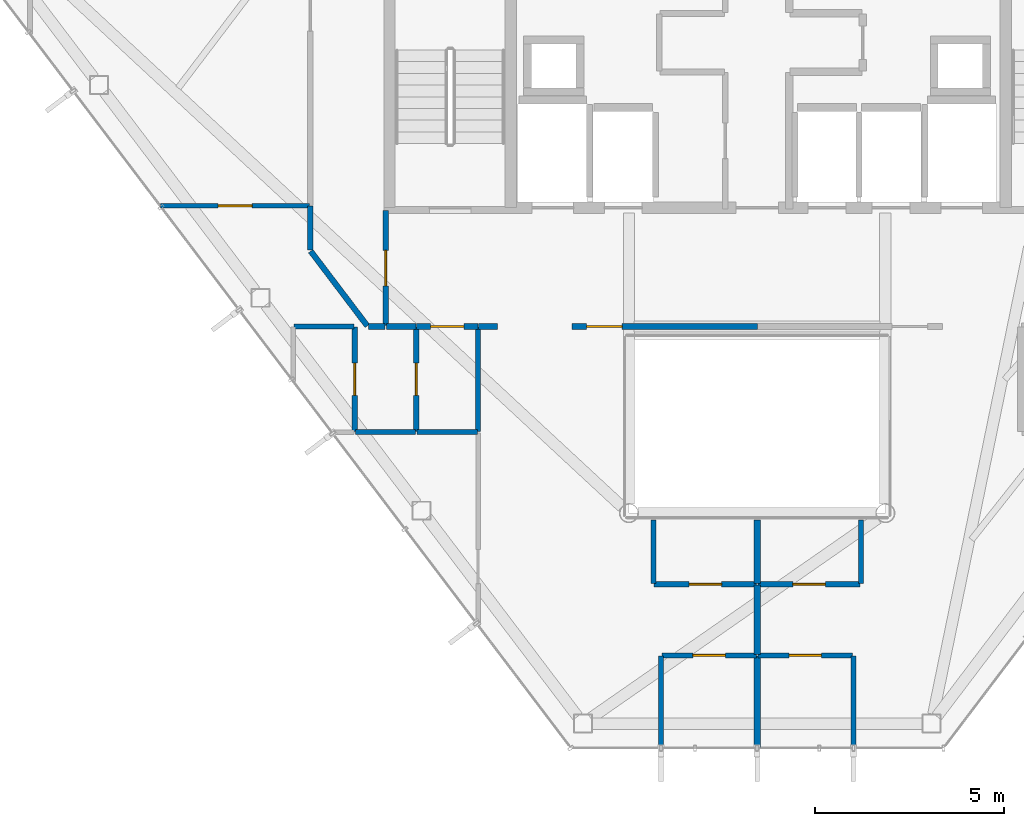
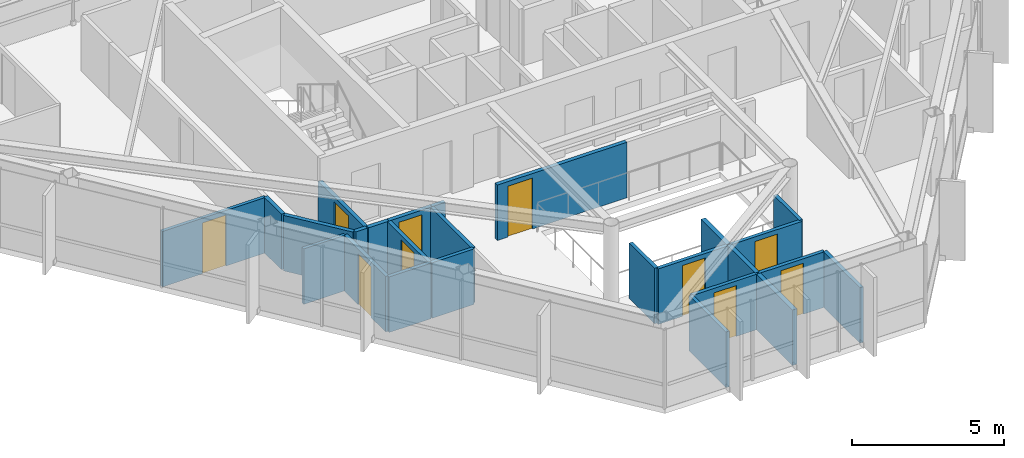
# One storey, part 21 of 25: 26 walls, 10 doors, 10 openings.
"""IFC4 building model written with IfcOpenShell, lengths in metres."""

from ifc_helpers import new_model, si_unit, direction, frame, frame_2d, origin, place, context, subcontext, project, spatial, rectangle, extrude, material, layer, layer_set, type_object, element, fill, save


model = new_model("IFC4")

# Units and contexts
model_context = context("Model", 3, precision=1e-05, world=origin(), true_north=direction((0.0, 1.0)))
body_context = subcontext(model_context, "Body", "Model", "MODEL_VIEW")
ifc_project = project(units=[si_unit("LENGTHUNIT", "METRE"), si_unit("AREAUNIT", "SQUARE_METRE"), si_unit("VOLUMEUNIT", "CUBIC_METRE"), si_unit("PLANEANGLEUNIT", "RADIAN"), si_unit("MASSUNIT", "GRAM", prefix="KILO")], contexts=[model_context])

# Site, building, storey
site_placement = place(None, origin())
site = spatial("IfcSite", under=ifc_project, at=site_placement, CompositionType="ELEMENT")
building_placement = place(site_placement, origin())
building = spatial("IfcBuilding", under=site, at=building_placement, Name="Zarrinselat Tower", CompositionType="ELEMENT")
storey_placement = place(building_placement, frame((0.0, 0.0, 261.800048828125)))
storey = spatial("IfcBuildingStorey", under=building, at=storey_placement, Name="L66", CompositionType="ELEMENT", Elevation=261.800048828125)

# Walls
ifc_material_1 = material(Name="Fire-Rated Gypsum Board Partition", Category="gypsum")
ifc_layer_1 = layer(ifc_material_1, 0.1650390625)
ifc_layer_set_1 = layer_set([ifc_layer_1], Name="Fire-Rated Gypsum Board Partition")
wall_type_1 = type_object("IfcWallType", Name="WAL-PART-DEMISE", PredefinedType="PARTITIONING", material=ifc_layer_set_1)
wall_1_placement = place(storey_placement, frame((38.39990234375, 21.451171875, 0.0), z_axis=(0.0, 0.0, 1.0), x_axis=(0.0, 1.0, 0.0)))
element("IfcWall", 1, at=wall_1_placement, inside=storey, type_object=wall_type_1, Name="L66 Partition Wall 52", PredefinedType="PARTITIONING", context=body_context, shape_type="SweptSolid", body=[
    extrude(rectangle(XDim=1.844482421875, YDim=0.1650390625, at=frame_2d((0.92236328125, 0.0))), origin(), (0.0, 0.0, 1.0), 2.23486328125),
])
wall_2_placement = place(storey_placement, frame((38.39990234375, 23.335693359375, 0.0), z_axis=(0.0, 0.0, 1.0), x_axis=(0.0, 1.0, 0.0)))
element("IfcWall", 2, at=wall_2_placement, inside=storey, type_object=wall_type_1, Name="L66 Partition Wall 53", PredefinedType="PARTITIONING", context=body_context, shape_type="SweptSolid", body=[
    extrude(rectangle(XDim=1.684326171875, YDim=0.1650390625, at=frame_2d((0.84228515625, 0.0))), origin(), (0.0, 0.0, 1.0), 2.23486328125),
])
wall_3_placement = place(storey_placement, frame((38.39990234375, 18.986083984375, 0.0), z_axis=(0.0, 0.0, 1.0), x_axis=(0.0, 1.0, 0.0)))
element("IfcWall", 3, at=wall_3_placement, inside=storey, type_object=wall_type_1, Name="L66 Partition Wall 54", PredefinedType="PARTITIONING", context=body_context, shape_type="SweptSolid", body=[
    extrude(rectangle(XDim=2.425048828125, YDim=0.1650390625, at=frame_2d((1.21240234375, 0.0))), origin(), (0.0, 0.0, 1.0), 2.23486328125),
])

# Wall, opening, door
ifc_material_2 = material(Name="Fire-Rated Gypsum Board Partition", Category="gypsum")
ifc_layer_2 = layer(ifc_material_2, 0.14990234375)
ifc_layer_set_2 = layer_set([ifc_layer_2], Name="Fire-Rated Gypsum Board Partition")
wall_type_2 = type_object("IfcWallType", Name="WAL-PART-EI60", PredefinedType="PARTITIONING", material=ifc_layer_set_2)
wall_4_placement = place(storey_placement, frame((28.550048828125, 30.169921875, 0.0), z_axis=(0.0, 0.0, 1.0), x_axis=(0.0, 1.0, 0.0)))
wall_4 = element("IfcWall", 4, at=wall_4_placement, inside=storey, type_object=wall_type_2, Name="L66 Partition Wall 17", PredefinedType="PARTITIONING", context=body_context, shape_type="SweptSolid", body=[
    extrude(rectangle(XDim=3.06005859375, YDim=0.14990234375, at=frame_2d((1.530029296875, 0.0))), origin(), (0.0, 0.0, 1.0), 2.23486328125),
])
opening_1_placement = place(wall_4_placement, frame((1.06005859375, 0.0, 0.0)))
opening_1 = element("IfcOpeningElement", 5, at=opening_1_placement, cuts=wall_4, Name="Opening ID-04", PredefinedType="OPENING", context=body_context, shape_type="SweptSolid", body=[
    extrude(rectangle(XDim=0.93994140625, YDim=2.050048828125, at=frame_2d((0.469970703125, 1.02490234375))), frame((0.0, 0.0849609375, 0.0), z_axis=(0.0, -1.0, 0.0), x_axis=(1.0, 0.0, 0.0)), (0.0, 0.0, 1.0), 0.169921875),
])
ifc_material_3 = material(Name="Fire-Rated Gypsum Board Partition")
door_type_1 = type_object("IfcDoorType", Name="DR-INT-FD30-ENT", OperationType="NOTDEFINED", PredefinedType="DOOR", material=ifc_material_3)
door_1_placement = place(opening_1_placement, origin())
door_1 = element("IfcDoor", 6, at=door_1_placement, inside=storey, type_object=door_type_1, Name="L66 Interior Door P17", OperationType="SINGLE_SWING_RIGHT", OverallHeight=2.050048828125, OverallWidth=0.93994140625, PredefinedType="DOOR", context=body_context, shape_type="SweptSolid", body=[
    extrude(rectangle(XDim=0.93994140625, YDim=2.050048828125, at=frame_2d((0.469970703125, 1.02490234375))), frame((0.0, 0.02490234375, 0.0), z_axis=(0.0, -1.0, 0.0), x_axis=(1.0, 0.0, 0.0)), (0.0, 0.0, 1.0), 0.050048828125),
])
fill(opening_1, door_1)

# Wall
wall_5_placement = place(storey_placement, frame((28.570068359375, 30.14990234375, 0.0), z_axis=(0.0, 0.0, 1.0), x_axis=(1.0, 0.0, 0.0)))
element("IfcWall", 7, at=wall_5_placement, inside=storey, type_object=wall_type_2, Name="L66 Partition Wall 19", PredefinedType="PARTITIONING", context=body_context, shape_type="SweptSolid", body=[
    extrude(rectangle(XDim=0.784912109375, YDim=0.14990234375, at=frame_2d((0.392578125, 0.0))), origin(), (0.0, 0.0, 1.0), 2.23486328125),
])

# Wall, opening, door
wall_6_placement = place(storey_placement, frame((29.364990234375, 30.14990234375, 0.0), z_axis=(0.0, 0.0, 1.0), x_axis=(1.0, 0.0, 0.0)))
wall_6 = element("IfcWall", 8, at=wall_6_placement, inside=storey, type_object=wall_type_2, Name="L66 Partition Wall 20", PredefinedType="PARTITIONING", context=body_context, shape_type="SweptSolid", body=[
    extrude(rectangle(XDim=1.630126953125, YDim=0.14990234375, at=frame_2d((0.81494140625, 0.0))), origin(), (0.0, 0.0, 1.0), 2.23486328125),
])
opening_2_placement = place(wall_6_placement, frame((0.375, 0.0, 0.0)))
opening_2 = element("IfcOpeningElement", 9, at=opening_2_placement, cuts=wall_6, Name="Opening ID-03", PredefinedType="OPENING", context=body_context, shape_type="SweptSolid", body=[
    extrude(rectangle(XDim=0.8798828125, YDim=2.050048828125, at=frame_2d((0.43994140625, 1.02490234375))), frame((0.0, 0.0849609375, 0.0), z_axis=(0.0, -1.0, 0.0), x_axis=(1.0, 0.0, 0.0)), (0.0, 0.0, 1.0), 0.169921875),
])
ifc_material_4 = material(Name="Steel S355J2", Category="steel")
door_type_2 = type_object("IfcDoorType", Name="DR-INT-FD60-S", OperationType="NOTDEFINED", PredefinedType="DOOR", material=ifc_material_4)
door_2_placement = place(opening_2_placement, origin())
door_2 = element("IfcDoor", 10, at=door_2_placement, inside=storey, type_object=door_type_2, Name="L66 Interior Door P20", OperationType="SINGLE_SWING_LEFT", OverallHeight=2.050048828125, OverallWidth=0.8798828125, PredefinedType="DOOR", context=body_context, shape_type="SweptSolid", body=[
    extrude(rectangle(XDim=0.8798828125, YDim=2.050048828125, at=frame_2d((0.43994140625, 1.02490234375))), frame((0.0, 0.02490234375, 0.0), z_axis=(0.0, -1.0, 0.0), x_axis=(1.0, 0.0, 0.0)), (0.0, 0.0, 1.0), 0.050048828125),
])
fill(opening_2, door_2)

wall_7_placement = place(storey_placement, frame((33.485107421875, 30.14990234375, 0.0), z_axis=(0.0, 0.0, 1.0), x_axis=(1.0, 0.0, 0.0)))
wall_7 = element("IfcWall", 11, at=wall_7_placement, inside=storey, type_object=wall_type_2, Name="L66 Partition Wall 21", PredefinedType="PARTITIONING", context=body_context, shape_type="SweptSolid", body=[
    extrude(rectangle(XDim=4.929931640625, YDim=0.14990234375, at=frame_2d((2.46484375, 0.0))), origin(), (0.0, 0.0, 1.0), 2.23486328125),
])
opening_3_placement = place(wall_7_placement, frame((0.39501953125, 0.0, 0.0)))
opening_3 = element("IfcOpeningElement", 12, at=opening_3_placement, cuts=wall_7, Name="Opening ID-04", PredefinedType="OPENING", context=body_context, shape_type="SweptSolid", body=[
    extrude(rectangle(XDim=0.93994140625, YDim=2.050048828125, at=frame_2d((0.469970703125, 1.02490234375))), frame((0.0, 0.0849609375, 0.0), z_axis=(0.0, -1.0, 0.0), x_axis=(1.0, 0.0, 0.0)), (0.0, 0.0, 1.0), 0.169921875),
])
door_3_placement = place(opening_3_placement, origin())
door_3 = element("IfcDoor", 13, at=door_3_placement, inside=storey, type_object=door_type_1, Name="L66 Interior Door P21", OperationType="SINGLE_SWING_RIGHT", OverallHeight=2.050048828125, OverallWidth=0.93994140625, PredefinedType="DOOR", context=body_context, shape_type="SweptSolid", body=[
    extrude(rectangle(XDim=0.93994140625, YDim=2.050048828125, at=frame_2d((0.469970703125, 1.02490234375))), frame((0.0, 0.02490234375, 0.0), z_axis=(0.0, -1.0, 0.0), x_axis=(1.0, 0.0, 0.0)), (0.0, 0.0, 1.0), 0.050048828125),
])
fill(opening_3, door_3)

# Walls
wall_8_placement = place(storey_placement, frame((31.0048828125, 30.14990234375, 0.0), z_axis=(0.0, 0.0, 1.0), x_axis=(1.0, 0.0, 0.0)))
element("IfcWall", 14, at=wall_8_placement, inside=storey, type_object=wall_type_2, Name="L66 Partition Wall 22", PredefinedType="PARTITIONING", context=body_context, shape_type="SweptSolid", body=[
    extrude(rectangle(XDim=0.510009765625, YDim=0.14990234375, at=frame_2d((0.2548828125, 0.0))), origin(), (0.0, 0.0, 1.0), 2.23486328125),
])
wall_9_placement = place(storey_placement, frame((28.094482421875, 30.14990234375, 0.0), z_axis=(0.0, 0.0, 1.0), x_axis=(1.0, 0.0, 0.0)))
element("IfcWall", 15, at=wall_9_placement, inside=storey, type_object=wall_type_2, Name="L66 Partition Wall 27", PredefinedType="PARTITIONING", context=body_context, shape_type="SweptSolid", body=[
    extrude(rectangle(XDim=0.435546875, YDim=0.14990234375, at=frame_2d((0.2177734375, 0.0))), origin(), (0.0, 0.0, 1.0), 2.23486328125),
])
wall_10_placement = place(storey_placement, frame((26.56201171875, 32.146484375, 0.0), z_axis=(0.0, 0.0, 1.0), x_axis=(0.603891739408, -0.797066350485, 0.0)))
element("IfcWall", 16, at=wall_10_placement, inside=storey, type_object=wall_type_2, Name="L66 Partition Wall 32", PredefinedType="PARTITIONING", context=body_context, shape_type="SweptSolid", body=[
    extrude(rectangle(XDim=2.484619140625, YDim=0.14990234375, at=frame_2d((1.2421875, 0.0))), origin(), (0.0, 0.0, 1.0), 2.23486328125),
])
wall_11_placement = place(storey_placement, frame((26.550048828125, 32.1826171875, 0.0), z_axis=(0.0, 0.0, 1.0), x_axis=(0.0, 1.0, 0.0)))
element("IfcWall", 17, at=wall_11_placement, inside=storey, type_object=wall_type_2, Name="L66 Partition Wall 33", PredefinedType="PARTITIONING", context=body_context, shape_type="SweptSolid", body=[
    extrude(rectangle(XDim=1.160400390625, YDim=0.14990234375, at=frame_2d((0.580078125, 0.0))), origin(), (0.0, 0.0, 1.0), 2.23486328125),
])
ifc_material_5 = material(Name="Fire-Rated Gypsum Board Partition", Category="gypsum")
ifc_layer_3 = layer(ifc_material_5, 0.1201171875)
ifc_layer_set_3 = layer_set([ifc_layer_3], Name="Fire-Rated Gypsum Board Partition")
wall_type_3 = type_object("IfcWallType", Name="WAL-PART-STD", PredefinedType="PARTITIONING", material=ifc_layer_set_3)
wall_12_placement = place(storey_placement, frame((26.1201171875, 30.14990234375, 0.0), z_axis=(0.0, 0.0, 1.0), x_axis=(1.0, 0.0, 0.0)))
element("IfcWall", 18, at=wall_12_placement, inside=storey, type_object=wall_type_3, Name="L66 Partition Wall 46", PredefinedType="PARTITIONING", context=body_context, shape_type="SweptSolid", body=[
    extrude(rectangle(XDim=1.58984375, YDim=0.1201171875, at=frame_2d((0.794921875, 0.0))), origin(), (0.0, 0.0, 1.0), 2.23486328125),
])

# Wall, opening, door
wall_13_placement = place(storey_placement, frame((22.580810546875, 33.347900390625, 0.0), z_axis=(0.0, 0.0, 1.0), x_axis=(1.0, 0.0, 0.0)))
wall_13 = element("IfcWall", 19, at=wall_13_placement, inside=storey, type_object=wall_type_3, Name="L66 Partition Wall 64", PredefinedType="PARTITIONING", context=body_context, shape_type="SweptSolid", body=[
    extrude(rectangle(XDim=3.94921875, YDim=0.1201171875, at=frame_2d((1.974609375, 0.0))), origin(), (0.0, 0.0, 1.0), 2.23486328125),
])
opening_4_placement = place(wall_13_placement, frame((1.524658203125, 0.0, 0.0)))
opening_4 = element("IfcOpeningElement", 20, at=opening_4_placement, cuts=wall_13, Name="Opening ID-05", PredefinedType="OPENING", context=body_context, shape_type="SweptSolid", body=[
    extrude(rectangle(XDim=0.89990234375, YDim=2.050048828125, at=frame_2d((0.449951171875, 1.02490234375))), frame((0.0, 0.070068359375, 0.0), z_axis=(0.0, -1.0, 0.0), x_axis=(1.0, 0.0, 0.0)), (0.0, 0.0, 1.0), 0.14013671875),
])
ifc_material_6 = material(Name="Extruded Aluminium Alloy EN AW-6063 T6", Category="aluminium")
door_type_3 = type_object("IfcDoorType", Name="DR-INT-STD-920", OperationType="NOTDEFINED", PredefinedType="DOOR", material=ifc_material_6)
door_4_placement = place(opening_4_placement, origin())
door_4 = element("IfcDoor", 21, at=door_4_placement, inside=storey, type_object=door_type_3, Name="L66 Interior Door P64", OperationType="SINGLE_SWING_RIGHT", OverallHeight=2.050048828125, OverallWidth=0.89990234375, PredefinedType="DOOR", context=body_context, shape_type="SweptSolid", body=[
    extrude(rectangle(XDim=0.89990234375, YDim=2.050048828125, at=frame_2d((0.449951171875, 1.02490234375))), frame((0.0, 0.02490234375, 0.0), z_axis=(0.0, -1.0, 0.0), x_axis=(1.0, 0.0, 0.0)), (0.0, 0.0, 1.0), 0.050048828125),
])
fill(opening_4, door_4)

ifc_material_7 = material(Name="Fire-Rated Gypsum Board Partition", Category="gypsum")
ifc_layer_4 = layer(ifc_material_7, 0.135009765625)
ifc_layer_set_4 = layer_set([ifc_layer_4], Name="Fire-Rated Gypsum Board Partition")
wall_type_4 = type_object("IfcWallType", Name="WAL-PART-WET", PredefinedType="PARTITIONING", material=ifc_layer_set_4)
wall_14_placement = place(storey_placement, frame((29.360107421875, 27.3701171875, 0.0), z_axis=(0.0, 0.0, 1.0), x_axis=(0.0, 1.0, 0.0)))
wall_14 = element("IfcWall", 22, at=wall_14_placement, inside=storey, type_object=wall_type_4, Name="L66 Partition Wall 39", PredefinedType="PARTITIONING", context=body_context, shape_type="SweptSolid", body=[
    extrude(rectangle(XDim=2.759765625, YDim=0.135009765625, at=frame_2d((1.3798828125, 0.0))), origin(), (0.0, 0.0, 1.0), 2.23486328125),
])
opening_5_placement = place(wall_14_placement, frame((0.949951171875, 0.0, 0.0)))
opening_5 = element("IfcOpeningElement", 23, at=opening_5_placement, cuts=wall_14, Name="Opening ID-06", PredefinedType="OPENING", context=body_context, shape_type="SweptSolid", body=[
    extrude(rectangle(XDim=0.860107421875, YDim=2.050048828125, at=frame_2d((0.43017578125, 1.02490234375))), frame((0.0, 0.077392578125, 0.0), z_axis=(0.0, -1.0, 0.0), x_axis=(1.0, 0.0, 0.0)), (0.0, 0.0, 1.0), 0.155029296875),
])
ifc_material_8 = material(Name="Extruded Aluminium Alloy EN AW-6063 T6", Category="aluminium")
door_type_4 = type_object("IfcDoorType", Name="DR-INT-WET-900", OperationType="NOTDEFINED", PredefinedType="DOOR", material=ifc_material_8)
door_5_placement = place(opening_5_placement, origin())
door_5 = element("IfcDoor", 24, at=door_5_placement, inside=storey, type_object=door_type_4, Name="L66 Interior Door P39", OperationType="SINGLE_SWING_RIGHT", OverallHeight=2.050048828125, OverallWidth=0.860107421875, PredefinedType="DOOR", context=body_context, shape_type="SweptSolid", body=[
    extrude(rectangle(XDim=0.860107421875, YDim=2.050048828125, at=frame_2d((0.43017578125, 1.02490234375))), frame((0.0, 0.02490234375, 0.0), z_axis=(0.0, -1.0, 0.0), x_axis=(1.0, 0.0, 0.0)), (0.0, 0.0, 1.0), 0.050048828125),
])
fill(opening_5, door_5)

wall_15_placement = place(storey_placement, frame((27.72998046875, 27.3701171875, 0.0), z_axis=(0.0, 0.0, 1.0), x_axis=(0.0, 1.0, 0.0)))
wall_15 = element("IfcWall", 25, at=wall_15_placement, inside=storey, type_object=wall_type_4, Name="L66 Partition Wall 40", PredefinedType="PARTITIONING", context=body_context, shape_type="SweptSolid", body=[
    extrude(rectangle(XDim=2.759765625, YDim=0.135009765625, at=frame_2d((1.3798828125, 0.0))), origin(), (0.0, 0.0, 1.0), 2.23486328125),
])
opening_6_placement = place(wall_15_placement, frame((0.949951171875, 0.0, 0.0)))
opening_6 = element("IfcOpeningElement", 26, at=opening_6_placement, cuts=wall_15, Name="Opening ID-06", PredefinedType="OPENING", context=body_context, shape_type="SweptSolid", body=[
    extrude(rectangle(XDim=0.860107421875, YDim=2.050048828125, at=frame_2d((0.43017578125, 1.02490234375))), frame((0.0, 0.077392578125, 0.0), z_axis=(0.0, -1.0, 0.0), x_axis=(1.0, 0.0, 0.0)), (0.0, 0.0, 1.0), 0.155029296875),
])
door_6_placement = place(opening_6_placement, origin())
door_6 = element("IfcDoor", 27, at=door_6_placement, inside=storey, type_object=door_type_4, Name="L66 Interior Door P40", OperationType="SINGLE_SWING_LEFT", OverallHeight=2.050048828125, OverallWidth=0.860107421875, PredefinedType="DOOR", context=body_context, shape_type="SweptSolid", body=[
    extrude(rectangle(XDim=0.860107421875, YDim=2.050048828125, at=frame_2d((0.43017578125, 1.02490234375))), frame((0.0, 0.02490234375, 0.0), z_axis=(0.0, -1.0, 0.0), x_axis=(1.0, 0.0, 0.0)), (0.0, 0.0, 1.0), 0.050048828125),
])
fill(opening_6, door_6)

# Walls
wall_16_placement = place(storey_placement, frame((27.75, 27.35009765625, 0.0), z_axis=(0.0, 0.0, 1.0), x_axis=(1.0, 0.0, 0.0)))
element("IfcWall", 28, at=wall_16_placement, inside=storey, type_object=wall_type_4, Name="L66 Partition Wall 41", PredefinedType="PARTITIONING", context=body_context, shape_type="SweptSolid", body=[
    extrude(rectangle(XDim=1.590087890625, YDim=0.135009765625, at=frame_2d((0.794921875, 0.0))), origin(), (0.0, 0.0, 1.0), 2.23486328125),
])
wall_17_placement = place(storey_placement, frame((31.0, 27.3701171875, 0.0), z_axis=(0.0, 0.0, 1.0), x_axis=(0.0, 1.0, 0.0)))
element("IfcWall", 29, at=wall_17_placement, inside=storey, type_object=wall_type_4, Name="L66 Partition Wall 42", PredefinedType="PARTITIONING", context=body_context, shape_type="SweptSolid", body=[
    extrude(rectangle(XDim=2.759765625, YDim=0.135009765625, at=frame_2d((1.3798828125, 0.0))), origin(), (0.0, 0.0, 1.0), 2.23486328125),
])
wall_18_placement = place(storey_placement, frame((29.3798828125, 27.35009765625, 0.0), z_axis=(0.0, 0.0, 1.0), x_axis=(1.0, 0.0, 0.0)))
element("IfcWall", 30, at=wall_18_placement, inside=storey, type_object=wall_type_4, Name="L66 Partition Wall 43", PredefinedType="PARTITIONING", context=body_context, shape_type="SweptSolid", body=[
    extrude(rectangle(XDim=1.60009765625, YDim=0.135009765625, at=frame_2d((0.800048828125, 0.0))), origin(), (0.0, 0.0, 1.0), 2.23486328125),
])
wall_19_placement = place(storey_placement, frame((35.64990234375, 23.335693359375, 0.0), z_axis=(0.0, 0.0, 1.0), x_axis=(0.0, 1.0, 0.0)))
element("IfcWall", 31, at=wall_19_placement, inside=storey, type_object=wall_type_4, Name="L66 Partition Wall 47", PredefinedType="PARTITIONING", context=body_context, shape_type="SweptSolid", body=[
    extrude(rectangle(XDim=1.684326171875, YDim=0.135009765625, at=frame_2d((0.84228515625, 0.0))), origin(), (0.0, 0.0, 1.0), 2.23486328125),
])

# Wall, opening, door
wall_20_placement = place(storey_placement, frame((35.669921875, 23.315673828125, 0.0), z_axis=(0.0, 0.0, 1.0), x_axis=(1.0, 0.0, 0.0)))
wall_20 = element("IfcWall", 32, at=wall_20_placement, inside=storey, type_object=wall_type_4, Name="L66 Partition Wall 48", PredefinedType="PARTITIONING", context=body_context, shape_type="SweptSolid", body=[
    extrude(rectangle(XDim=2.7099609375, YDim=0.135009765625, at=frame_2d((1.35498046875, 0.0))), origin(), (0.0, 0.0, 1.0), 2.23486328125),
])
opening_7_placement = place(wall_20_placement, frame((0.925048828125, 0.0, 0.0)))
opening_7 = element("IfcOpeningElement", 33, at=opening_7_placement, cuts=wall_20, Name="Opening ID-06", PredefinedType="OPENING", context=body_context, shape_type="SweptSolid", body=[
    extrude(rectangle(XDim=0.860107421875, YDim=2.050048828125, at=frame_2d((0.43017578125, 1.02490234375))), frame((0.0, 0.077392578125, 0.0), z_axis=(0.0, -1.0, 0.0), x_axis=(1.0, 0.0, 0.0)), (0.0, 0.0, 1.0), 0.155029296875),
])
door_7_placement = place(opening_7_placement, origin())
door_7 = element("IfcDoor", 34, at=door_7_placement, inside=storey, type_object=door_type_4, Name="L66 Interior Door P48", OperationType="SINGLE_SWING_RIGHT", OverallHeight=2.050048828125, OverallWidth=0.860107421875, PredefinedType="DOOR", context=body_context, shape_type="SweptSolid", body=[
    extrude(rectangle(XDim=0.860107421875, YDim=2.050048828125, at=frame_2d((0.43017578125, 1.02490234375))), frame((0.0, 0.02490234375, 0.0), z_axis=(0.0, -1.0, 0.0), x_axis=(1.0, 0.0, 0.0)), (0.0, 0.0, 1.0), 0.050048828125),
])
fill(opening_7, door_7)

wall_21_placement = place(storey_placement, frame((35.8701171875, 21.43115234375, 0.0), z_axis=(0.0, 0.0, 1.0), x_axis=(1.0, 0.0, 0.0)))
wall_21 = element("IfcWall", 35, at=wall_21_placement, inside=storey, type_object=wall_type_4, Name="L66 Partition Wall 49", PredefinedType="PARTITIONING", context=body_context, shape_type="SweptSolid", body=[
    extrude(rectangle(XDim=2.509765625, YDim=0.135009765625, at=frame_2d((1.2548828125, 0.0))), origin(), (0.0, 0.0, 1.0), 2.23486328125),
])
opening_8_placement = place(wall_21_placement, frame((0.824951171875, 0.0, 0.0)))
opening_8 = element("IfcOpeningElement", 36, at=opening_8_placement, cuts=wall_21, Name="Opening ID-06", PredefinedType="OPENING", context=body_context, shape_type="SweptSolid", body=[
    extrude(rectangle(XDim=0.860107421875, YDim=2.050048828125, at=frame_2d((0.43017578125, 1.02490234375))), frame((0.0, 0.077392578125, 0.0), z_axis=(0.0, -1.0, 0.0), x_axis=(1.0, 0.0, 0.0)), (0.0, 0.0, 1.0), 0.155029296875),
])
door_8_placement = place(opening_8_placement, origin())
door_8 = element("IfcDoor", 37, at=door_8_placement, inside=storey, type_object=door_type_4, Name="L66 Interior Door P49", OperationType="SINGLE_SWING_LEFT", OverallHeight=2.050048828125, OverallWidth=0.860107421875, PredefinedType="DOOR", context=body_context, shape_type="SweptSolid", body=[
    extrude(rectangle(XDim=0.860107421875, YDim=2.050048828125, at=frame_2d((0.43017578125, 1.02490234375))), frame((0.0, 0.02490234375, 0.0), z_axis=(0.0, -1.0, 0.0), x_axis=(1.0, 0.0, 0.0)), (0.0, 0.0, 1.0), 0.050048828125),
])
fill(opening_8, door_8)

# Wall
wall_22_placement = place(storey_placement, frame((35.85009765625, 18.986083984375, 0.0), z_axis=(0.0, 0.0, 1.0), x_axis=(0.0, 1.0, 0.0)))
element("IfcWall", 38, at=wall_22_placement, inside=storey, type_object=wall_type_4, Name="L66 Partition Wall 50", PredefinedType="PARTITIONING", context=body_context, shape_type="SweptSolid", body=[
    extrude(rectangle(XDim=2.425048828125, YDim=0.135009765625, at=frame_2d((1.21240234375, 0.0))), origin(), (0.0, 0.0, 1.0), 2.23486328125),
])

# Wall, opening, door
wall_23_placement = place(storey_placement, frame((38.419921875, 23.315673828125, 0.0), z_axis=(0.0, 0.0, 1.0), x_axis=(1.0, 0.0, 0.0)))
wall_23 = element("IfcWall", 39, at=wall_23_placement, inside=storey, type_object=wall_type_4, Name="L66 Partition Wall 55", PredefinedType="PARTITIONING", context=body_context, shape_type="SweptSolid", body=[
    extrude(rectangle(XDim=2.7099609375, YDim=0.135009765625, at=frame_2d((1.35498046875, 0.0))), origin(), (0.0, 0.0, 1.0), 2.23486328125),
])
opening_9_placement = place(wall_23_placement, frame((0.925048828125, 0.0, 0.0)))
opening_9 = element("IfcOpeningElement", 40, at=opening_9_placement, cuts=wall_23, Name="Opening ID-06", PredefinedType="OPENING", context=body_context, shape_type="SweptSolid", body=[
    extrude(rectangle(XDim=0.860107421875, YDim=2.050048828125, at=frame_2d((0.43017578125, 1.02490234375))), frame((0.0, 0.077392578125, 0.0), z_axis=(0.0, -1.0, 0.0), x_axis=(1.0, 0.0, 0.0)), (0.0, 0.0, 1.0), 0.155029296875),
])
door_9_placement = place(opening_9_placement, origin())
door_9 = element("IfcDoor", 41, at=door_9_placement, inside=storey, type_object=door_type_4, Name="L66 Interior Door P55", OperationType="SINGLE_SWING_LEFT", OverallHeight=2.050048828125, OverallWidth=0.860107421875, PredefinedType="DOOR", context=body_context, shape_type="SweptSolid", body=[
    extrude(rectangle(XDim=0.860107421875, YDim=2.050048828125, at=frame_2d((0.43017578125, 1.02490234375))), frame((0.0, 0.02490234375, 0.0), z_axis=(0.0, -1.0, 0.0), x_axis=(1.0, 0.0, 0.0)), (0.0, 0.0, 1.0), 0.050048828125),
])
fill(opening_9, door_9)

# Walls
wall_24_placement = place(storey_placement, frame((41.14990234375, 23.335693359375, 0.0), z_axis=(0.0, 0.0, 1.0), x_axis=(0.0, 1.0, 0.0)))
element("IfcWall", 42, at=wall_24_placement, inside=storey, type_object=wall_type_4, Name="L66 Partition Wall 56", PredefinedType="PARTITIONING", context=body_context, shape_type="SweptSolid", body=[
    extrude(rectangle(XDim=1.684326171875, YDim=0.135009765625, at=frame_2d((0.84228515625, 0.0))), origin(), (0.0, 0.0, 1.0), 2.23486328125),
])
wall_25_placement = place(storey_placement, frame((40.949951171875, 18.986083984375, 0.0), z_axis=(0.0, 0.0, 1.0), x_axis=(0.0, 1.0, 0.0)))
element("IfcWall", 43, at=wall_25_placement, inside=storey, type_object=wall_type_4, Name="L66 Partition Wall 57", PredefinedType="PARTITIONING", context=body_context, shape_type="SweptSolid", body=[
    extrude(rectangle(XDim=2.425048828125, YDim=0.135009765625, at=frame_2d((1.21240234375, 0.0))), origin(), (0.0, 0.0, 1.0), 2.23486328125),
])

# Wall, opening, door
wall_26_placement = place(storey_placement, frame((38.419921875, 21.43115234375, 0.0), z_axis=(0.0, 0.0, 1.0), x_axis=(1.0, 0.0, 0.0)))
wall_26 = element("IfcWall", 44, at=wall_26_placement, inside=storey, type_object=wall_type_4, Name="L66 Partition Wall 58", PredefinedType="PARTITIONING", context=body_context, shape_type="SweptSolid", body=[
    extrude(rectangle(XDim=2.510009765625, YDim=0.135009765625, at=frame_2d((1.2548828125, 0.0))), origin(), (0.0, 0.0, 1.0), 2.23486328125),
])
opening_10_placement = place(wall_26_placement, frame((0.824951171875, 0.0, 0.0)))
opening_10 = element("IfcOpeningElement", 45, at=opening_10_placement, cuts=wall_26, Name="Opening ID-06", PredefinedType="OPENING", context=body_context, shape_type="SweptSolid", body=[
    extrude(rectangle(XDim=0.860107421875, YDim=2.050048828125, at=frame_2d((0.43017578125, 1.02490234375))), frame((0.0, 0.077392578125, 0.0), z_axis=(0.0, -1.0, 0.0), x_axis=(1.0, 0.0, 0.0)), (0.0, 0.0, 1.0), 0.155029296875),
])
door_10_placement = place(opening_10_placement, origin())
door_10 = element("IfcDoor", 46, at=door_10_placement, inside=storey, type_object=door_type_4, Name="L66 Interior Door P58", OperationType="SINGLE_SWING_RIGHT", OverallHeight=2.050048828125, OverallWidth=0.860107421875, PredefinedType="DOOR", context=body_context, shape_type="SweptSolid", body=[
    extrude(rectangle(XDim=0.860107421875, YDim=2.050048828125, at=frame_2d((0.43017578125, 1.02490234375))), frame((0.0, 0.02490234375, 0.0), z_axis=(0.0, -1.0, 0.0), x_axis=(1.0, 0.0, 0.0)), (0.0, 0.0, 1.0), 0.050048828125),
])
fill(opening_10, door_10)

save(model, "model.ifc")
